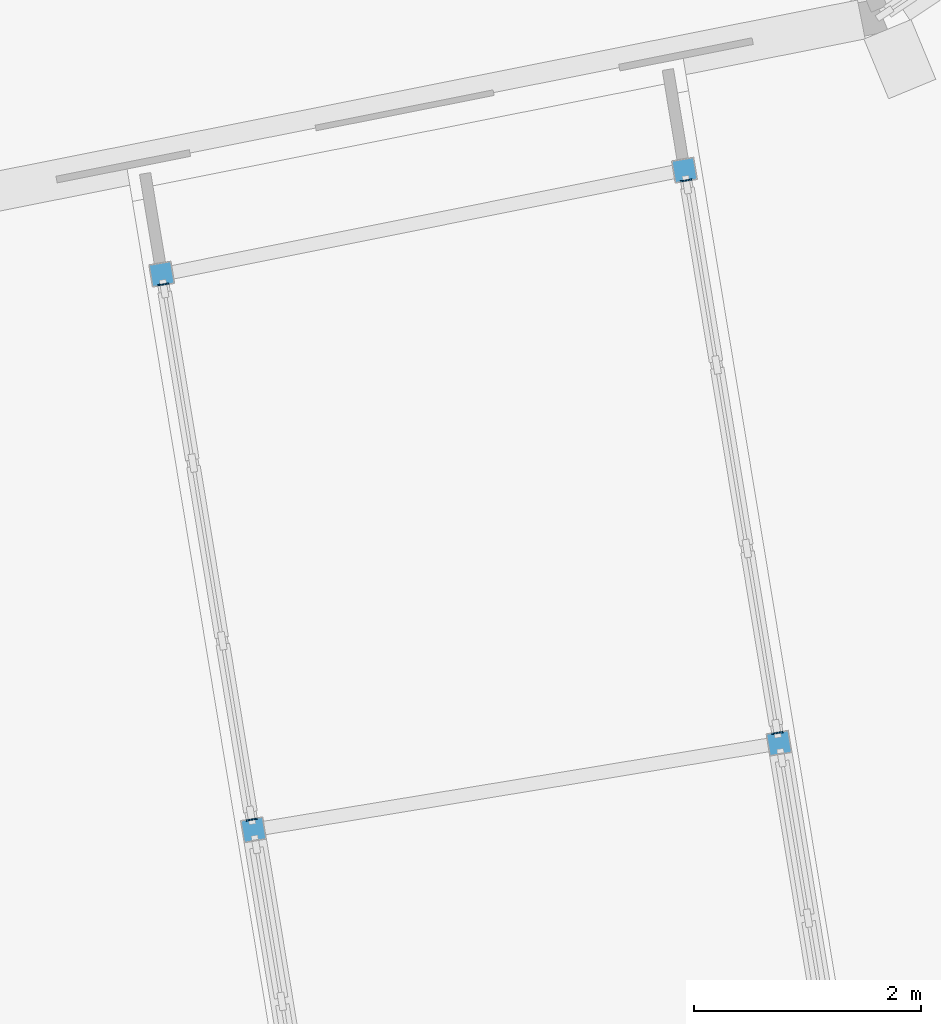
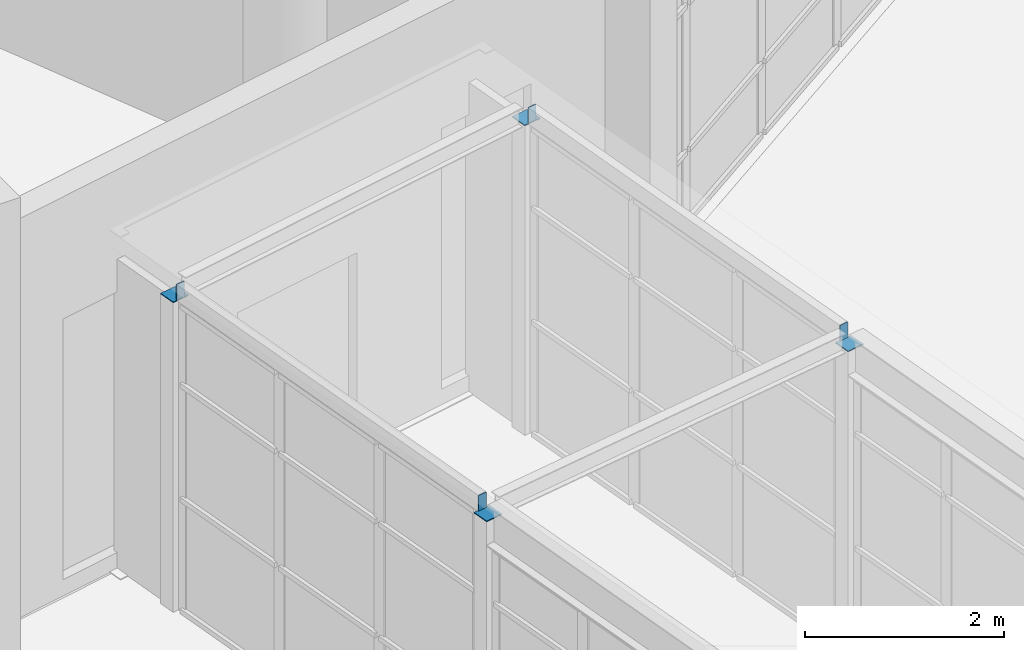
# One storey, part 199 of 226: 8 discrete accessories.
"""IFC4 building model written with IfcOpenShell, lengths in metres."""

from ifc_helpers import new_model, si_unit, direction, frame, origin, origin_2d, place, context, subcontext, project, spatial, rectangle, extrude, material, material_profile, profile_set, type_object, element, save


model = new_model("IFC4")

# Units and contexts
model_context = context("Model", 3, precision=1e-05, world=origin(), true_north=direction((0.0, 1.0)))
body_context = subcontext(model_context, "Body", "Model", "MODEL_VIEW")
ifc_project = project(units=[si_unit("LENGTHUNIT", "METRE"), si_unit("AREAUNIT", "SQUARE_METRE"), si_unit("VOLUMEUNIT", "CUBIC_METRE"), si_unit("PLANEANGLEUNIT", "RADIAN"), si_unit("MASSUNIT", "GRAM", prefix="KILO")], contexts=[model_context])

# Site, building, storey
site_placement = place(None, origin())
site = spatial("IfcSite", under=ifc_project, at=site_placement, CompositionType="ELEMENT")
building_placement = place(site_placement, origin())
building = spatial("IfcBuilding", under=site, at=building_placement, Name="Ceibo Conservatory and Research Tower", CompositionType="ELEMENT")
storey_placement = place(building_placement, origin())
storey = spatial("IfcBuildingStorey", under=building, at=storey_placement, Name="L00", CompositionType="ELEMENT", Elevation=0.0)

# Discrete accessories
ifc_material = material(Name="Steel S355J2", Category="steel")
ifc_material_profile_1 = material_profile(ifc_material, rectangle(XDim=0.10009765625, YDim=0.199951171875, at=origin_2d()), Name="End plate PL 200x100x8")
ifc_profile_set_1 = profile_set([ifc_material_profile_1], Name="Steel S355J2")
discrete_accessory_type_1 = type_object("IfcDiscreteAccessoryType", Name="End plate PL 200x100x8", PredefinedType="USERDEFINED", material=ifc_profile_set_1)
for number, where, z_axis, x_axis, name in (
    (1, (54.692626953125, 98.2236328125, 3.89990234375), (0.168296462892, -0.98573642551, 0.0), (0.98573642551, 0.168296462892, 0.0), "Gallery edge beam RT-AUD-EBN01 end plate"),
    (2, (55.497314453125, 93.349365234375, 3.89990234375), (0.168296462892, -0.98573642551, 0.0), (0.98573642551, 0.168296462892, 0.0), "Gallery edge beam RT-AUD-EBN01 end plate"),
):
    element("IfcDiscreteAccessory", number, at=place(storey_placement, frame(where, z_axis=z_axis, x_axis=x_axis)), inside=storey, type_object=discrete_accessory_type_1, Name=name, ObjectType="End plate", PredefinedType="USERDEFINED", context=body_context, shape_type="SweptSolid", body=[
        extrude(rectangle(XDim=0.10009765625, YDim=0.199951171875, at=origin_2d()), origin(), (0.0, 0.0, 1.0), 0.01025390625),
    ])
discrete_accessory_1_placement = place(storey_placement, frame((50.08056640625, 97.30615234375, 3.89990234375), z_axis=(0.14834045293, -0.988936352868, 0.0), x_axis=(0.988936352868, 0.14834045293, 0.0)))
element("IfcDiscreteAccessory", 3, at=discrete_accessory_1_placement, inside=storey, type_object=discrete_accessory_type_1, Name="Gallery edge beam RT-AUD-EBS01 end plate", ObjectType="End plate", PredefinedType="USERDEFINED", context=body_context, shape_type="SweptSolid", body=[
    extrude(rectangle(XDim=0.10009765625, YDim=0.199951171875, at=origin_2d()), origin(), (0.0, 0.0, 1.0), 0.009765625),
])
discrete_accessory_2_placement = place(storey_placement, frame((50.85986328125, 92.5849609375, 3.89990234375), z_axis=(0.168296462892, -0.98573642551, 0.0), x_axis=(0.98573642551, 0.168296462892, 0.0)))
element("IfcDiscreteAccessory", 4, at=discrete_accessory_2_placement, inside=storey, type_object=discrete_accessory_type_1, Name="Gallery edge beam RT-AUD-EBS01 end plate", ObjectType="End plate", PredefinedType="USERDEFINED", context=body_context, shape_type="SweptSolid", body=[
    extrude(rectangle(XDim=0.10009765625, YDim=0.199951171875, at=origin_2d()), origin(), (0.0, 0.0, 1.0), 0.01025390625),
])
ifc_material_profile_2 = material_profile(ifc_material, rectangle(XDim=0.199951171875, YDim=0.199951171875, at=origin_2d()), Name="End plate PL 200x200x10")
ifc_profile_set_2 = profile_set([ifc_material_profile_2], Name="Steel S355J2")
discrete_accessory_type_2 = type_object("IfcDiscreteAccessoryType", Name="End plate PL 200x200x10", PredefinedType="USERDEFINED", material=ifc_profile_set_2)
for number, where, z_axis, x_axis, name in (
    (5, (54.678466796875, 98.309326171875, 3.798095703125), (0.0, 0.0, 1.0), (0.162895430671, -0.986643339139, 0.0), "Gallery column RT-AUD-CN01 end plate"),
    (6, (55.51318359375, 93.253662109375, 3.798095703125), (0.0, 0.0, 1.0), (0.162895430671, -0.986643339139, 0.0), "Gallery column RT-AUD-CN02 end plate"),
    (7, (50.06640625, 97.39208984375, 3.798095703125), (0.0, 0.0, 1.0), (0.162895430671, -0.986643339139, 0.0), "Gallery column RT-AUD-CS01 end plate"),
    (8, (50.875732421875, 92.4892578125, 3.798095703125), (0.0, 0.0, 1.0), (0.162895430671, -0.986643339139, 0.0), "Gallery column RT-AUD-CS02 end plate"),
):
    element("IfcDiscreteAccessory", number, at=place(storey_placement, frame(where, z_axis=z_axis, x_axis=x_axis)), inside=storey, type_object=discrete_accessory_type_2, Name=name, ObjectType="End plate", PredefinedType="USERDEFINED", context=body_context, shape_type="SweptSolid", body=[
        extrude(rectangle(XDim=0.199951171875, YDim=0.199951171875, at=origin_2d()), origin(), (0.0, 0.0, 1.0), 0.011962890625),
    ])

save(model, "model.ifc")
